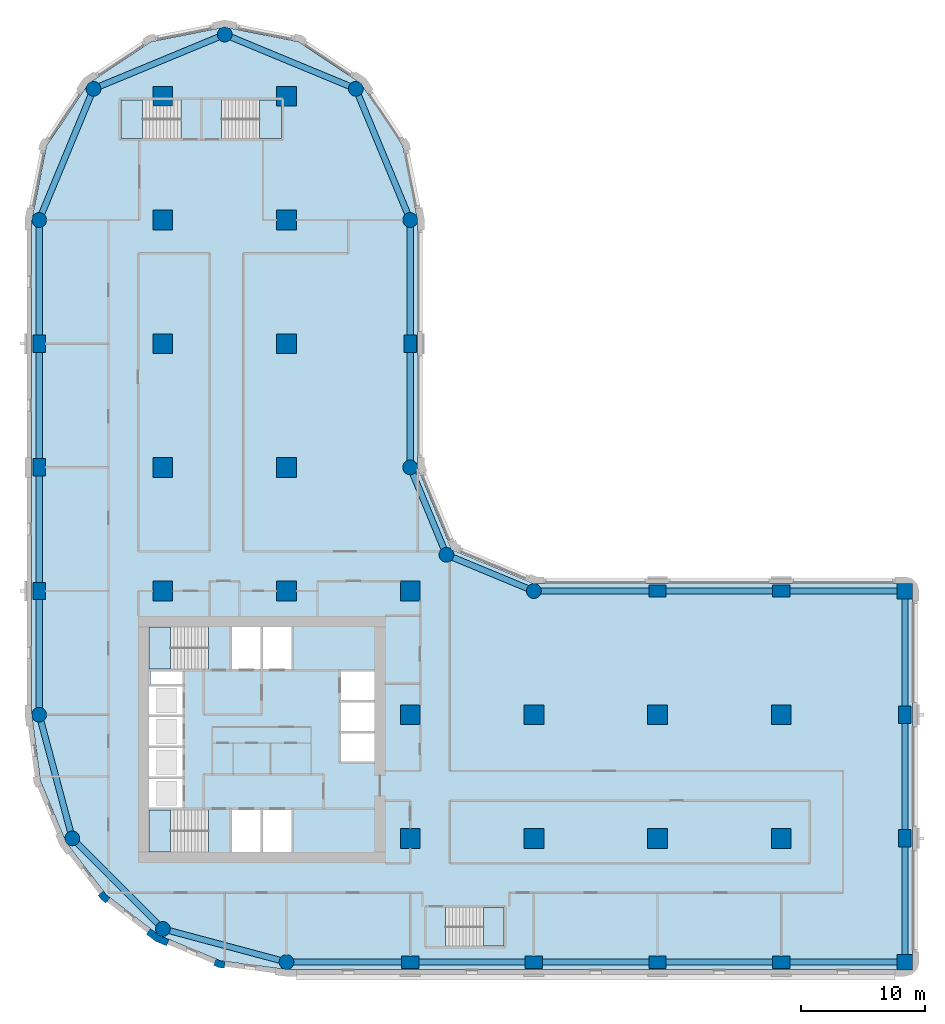
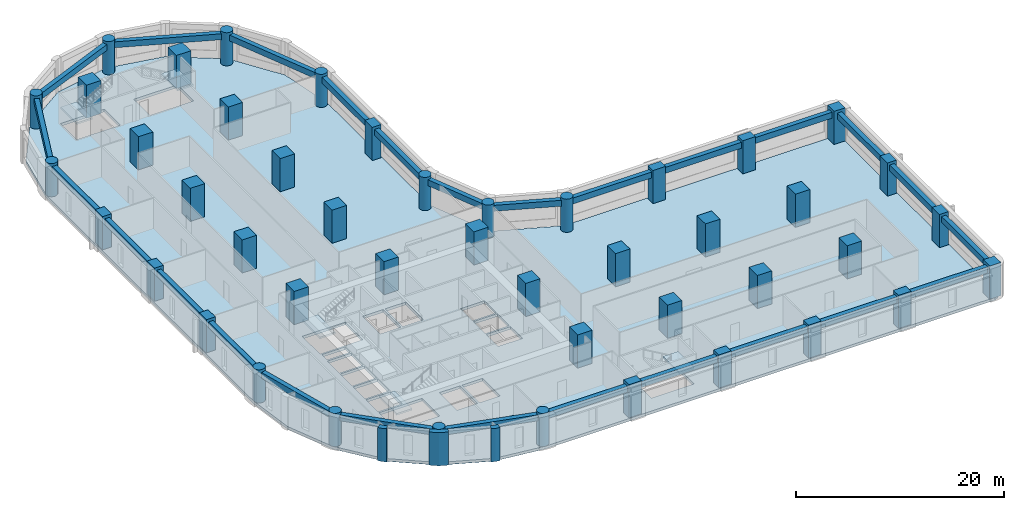
# One storey, part 1 of 10: 45 columns, 26 beams, 6 slabs, 3 walls, 5 elements without a shape of their own.
"""IFC4 building model written with IfcOpenShell, lengths in metres."""

from ifc_helpers import new_model, si_unit, direction, frame, origin, origin_2d, place, context, subcontext, project, spatial, polyline, rectangle, circle, outline, extrude, material, layer, layer_set, material_profile, profile_set, type_object, element, aggregate, save


model = new_model("IFC4")

# Units and contexts
model_context = context("Model", 3, precision=1e-05, world=origin(), true_north=direction((0.0, 1.0)))
body_context = subcontext(model_context, "Body", "Model", "MODEL_VIEW")
ifc_project = project(units=[si_unit("LENGTHUNIT", "METRE"), si_unit("AREAUNIT", "SQUARE_METRE"), si_unit("VOLUMEUNIT", "CUBIC_METRE"), si_unit("PLANEANGLEUNIT", "RADIAN"), si_unit("MASSUNIT", "GRAM", prefix="KILO")], contexts=[model_context])

# Site, building, storey
site_placement = place(None, origin())
site = spatial("IfcSite", under=ifc_project, at=site_placement, CompositionType="ELEMENT")
building_placement = place(site_placement, origin())
building = spatial("IfcBuilding", under=site, at=building_placement, Name="Qaws Garden Tower", CompositionType="ELEMENT")
storey_placement = place(building_placement, frame((0.0, 0.0, 51.0)))
storey = spatial("IfcBuildingStorey", under=building, at=storey_placement, Name="L12", CompositionType="ELEMENT", Elevation=51.0)

# Columns
ifc_material_1 = material(Name="Concrete C80", Category="concrete")
ifc_material_profile_1 = material_profile(ifc_material_1, rectangle(XDim=1.25, YDim=1.25, at=origin_2d()), Name="RC 1250x1250")
ifc_profile_set_1 = profile_set([ifc_material_profile_1], Name="Concrete C80")
column_type_1 = type_object("IfcColumnType", Name="Column RC 1250x1250 C80", PredefinedType="COLUMN", material=ifc_profile_set_1)
for number, where, z_axis, x_axis, name in (
    (1, (70.0, 0.0, 0.0), (0.0, 0.0, 1.0), (1.0, 0.0, 0.0), "Column L12-006"),
    (2, (70.0, 30.0, 0.0), (0.0, 0.0, 1.0), (1.0, 0.0, 0.0), "Column L12-009"),
):
    element("IfcColumn", number, at=place(storey_placement, frame(where, z_axis=z_axis, x_axis=x_axis)), inside=storey, type_object=column_type_1, Name=name, PredefinedType="COLUMN", context=body_context, shape_type="SweptSolid", body=[
        extrude(rectangle(XDim=1.25, YDim=1.25, at=origin_2d()), origin(), (0.0, 0.0, 1.0), 3.89990234375),
    ])
ifc_material_2 = material(Name="Concrete C80", Category="concrete")
ifc_material_profile_2 = material_profile(ifc_material_2, rectangle(XDim=1.39990234375, YDim=1.0, at=origin_2d()), Name="RC 1400x1000")
ifc_profile_set_2 = profile_set([ifc_material_profile_2], Name="Concrete C80")
column_type_2 = type_object("IfcColumnType", Name="Column RC 1400x1000 C80", PredefinedType="COLUMN", material=ifc_profile_set_2)
for number, where, z_axis, x_axis, name in (
    (3, (30.0, 0.0, 0.0), (0.0, 0.0, 1.0), (1.0, 0.0, 0.0), "Column L12-002"),
    (4, (40.0, 0.0, 0.0), (0.0, 0.0, 1.0), (1.0, 0.0, 0.0), "Column L12-003"),
    (5, (50.0, 0.0, 0.0), (0.0, 0.0, 1.0), (1.0, 0.0, 0.0), "Column L12-004"),
    (6, (60.0, 0.0, 0.0), (0.0, 0.0, 1.0), (1.0, 0.0, 0.0), "Column L12-005"),
    (7, (70.0, 10.0, 0.0), (0.0, 0.0, 1.0), (0.0, 1.0, 0.0), "Column L12-007"),
    (8, (70.0, 20.0, 0.0), (0.0, 0.0, 1.0), (0.0, 1.0, 0.0), "Column L12-008"),
    (9, (60.0, 30.0, 0.0), (0.0, 0.0, 1.0), (1.0, 0.0, 0.0), "Column L12-010"),
    (10, (50.0, 30.0, 0.0), (0.0, 0.0, 1.0), (1.0, 0.0, 0.0), "Column L12-011"),
    (11, (30.0, 50.0, 0.0), (0.0, 0.0, 1.0), (0.0, 1.0, 0.0), "Column L12-015"),
    (12, (0.0, 50.0, 0.0), (0.0, 0.0, 1.0), (0.0, 1.0, 0.0), "Column L12-021"),
    (13, (0.0, 40.0, 0.0), (0.0, 0.0, 1.0), (0.0, 1.0, 0.0), "Column L12-022"),
    (14, (0.0, 30.0, 0.0), (0.0, 0.0, 1.0), (0.0, 1.0, 0.0), "Column L12-023"),
):
    element("IfcColumn", number, at=place(storey_placement, frame(where, z_axis=z_axis, x_axis=x_axis)), inside=storey, type_object=column_type_2, Name=name, PredefinedType="COLUMN", context=body_context, shape_type="SweptSolid", body=[
        extrude(rectangle(XDim=1.39990234375, YDim=1.0, at=origin_2d()), origin(), (0.0, 0.0, 1.0), 3.89990234375),
    ])
ifc_material_3 = material(Name="Concrete C80", Category="concrete")
ifc_material_profile_3 = material_profile(ifc_material_3, rectangle(XDim=1.60009765625, YDim=1.60009765625, at=origin_2d()), Name="RC 1600x1600")
ifc_profile_set_3 = profile_set([ifc_material_profile_3], Name="Concrete C80")
column_type_3 = type_object("IfcColumnType", Name="Column RC 1600x1600 C80", PredefinedType="COLUMN", material=ifc_profile_set_3)
for number, where, z_axis, x_axis, name in (
    (15, (10.0, 30.0, 0.0), (0.0, 0.0, 1.0), (1.0, 0.0, 0.0), "Column L12-027"),
    (16, (10.0, 40.0, 0.0), (0.0, 0.0, 1.0), (1.0, 0.0, 0.0), "Column L12-028"),
    (17, (10.0, 50.0, 0.0), (0.0, 0.0, 1.0), (1.0, 0.0, 0.0), "Column L12-029"),
    (18, (10.0, 60.0, 0.0), (0.0, 0.0, 1.0), (1.0, 0.0, 0.0), "Column L12-030"),
    (19, (10.0, 70.0, 0.0), (0.0, 0.0, 1.0), (1.0, 0.0, 0.0), "Column L12-031"),
    (20, (20.0, 30.0, 0.0), (0.0, 0.0, 1.0), (1.0, 0.0, 0.0), "Column L12-032"),
    (21, (20.0, 40.0, 0.0), (0.0, 0.0, 1.0), (1.0, 0.0, 0.0), "Column L12-033"),
    (22, (20.0, 50.0, 0.0), (0.0, 0.0, 1.0), (1.0, 0.0, 0.0), "Column L12-034"),
    (23, (20.0, 60.0, 0.0), (0.0, 0.0, 1.0), (1.0, 0.0, 0.0), "Column L12-035"),
    (24, (20.0, 70.0, 0.0), (0.0, 0.0, 1.0), (1.0, 0.0, 0.0), "Column L12-036"),
    (25, (30.0, 10.0, 0.0), (0.0, 0.0, 1.0), (1.0, 0.0, 0.0), "Column L12-037"),
    (26, (30.0, 20.0, 0.0), (0.0, 0.0, 1.0), (1.0, 0.0, 0.0), "Column L12-038"),
    (27, (30.0, 30.0, 0.0), (0.0, 0.0, 1.0), (1.0, 0.0, 0.0), "Column L12-039"),
    (28, (40.0, 10.0, 0.0), (0.0, 0.0, 1.0), (1.0, 0.0, 0.0), "Column L12-040"),
    (29, (40.0, 20.0, 0.0), (0.0, 0.0, 1.0), (1.0, 0.0, 0.0), "Column L12-041"),
    (30, (50.0, 10.0, 0.0), (0.0, 0.0, 1.0), (1.0, 0.0, 0.0), "Column L12-042"),
    (31, (50.0, 20.0, 0.0), (0.0, 0.0, 1.0), (1.0, 0.0, 0.0), "Column L12-043"),
    (32, (60.0, 10.0, 0.0), (0.0, 0.0, 1.0), (1.0, 0.0, 0.0), "Column L12-044"),
    (33, (60.0, 20.0, 0.0), (0.0, 0.0, 1.0), (1.0, 0.0, 0.0), "Column L12-045"),
):
    element("IfcColumn", number, at=place(storey_placement, frame(where, z_axis=z_axis, x_axis=x_axis)), inside=storey, type_object=column_type_3, Name=name, PredefinedType="COLUMN", context=body_context, shape_type="SweptSolid", body=[
        extrude(rectangle(XDim=1.60009765625, YDim=1.60009765625, at=origin_2d()), origin(), (0.0, 0.0, 1.0), 3.89990234375),
    ])
ifc_material_4 = material(Name="Concrete C80", Category="concrete")
ifc_material_profile_4 = material_profile(ifc_material_4, circle(Radius=0.60009765625, at=origin_2d()), Name="RC D1200")
ifc_profile_set_4 = profile_set([ifc_material_profile_4], Name="Concrete C80")
column_type_4 = type_object("IfcColumnType", Name="Column RC D1200 C80", PredefinedType="COLUMN", material=ifc_profile_set_4)
for number, where, z_axis, x_axis, name in (
    (34, (20.0, 0.0, 0.0), (0.0, 0.0, 1.0), (1.0, 0.0, 0.0), "Column L12-001"),
    (35, (40.0, 30.0, 0.0), (0.0, 0.0, 1.0), (1.0, 0.0, 0.0), "Column L12-012"),
    (36, (32.928955078125, 32.928955078125, 0.0), (0.0, 0.0, 1.0), (1.0, 0.0, 0.0), "Column L12-013"),
    (37, (30.0, 40.0, 0.0), (0.0, 0.0, 1.0), (1.0, 0.0, 0.0), "Column L12-014"),
    (38, (30.0, 60.0, 0.0), (0.0, 0.0, 1.0), (1.0, 0.0, 0.0), "Column L12-016"),
    (39, (25.606689453125, 70.606689453125, 0.0), (0.0, 0.0, 1.0), (1.0, 0.0, 0.0), "Column L12-017"),
    (40, (15.0, 75.0, 0.0), (0.0, 0.0, 1.0), (1.0, 0.0, 0.0), "Column L12-018"),
    (41, (4.393310546875, 70.606689453125, 0.0), (0.0, 0.0, 1.0), (1.0, 0.0, 0.0), "Column L12-019"),
    (42, (0.0, 60.0, 0.0), (0.0, 0.0, 1.0), (1.0, 0.0, 0.0), "Column L12-020"),
    (43, (0.0, 20.0, 0.0), (0.0, 0.0, 1.0), (1.0, 0.0, 0.0), "Column L12-024"),
    (44, (2.679443359375, 10.0, 0.0), (0.0, 0.0, 1.0), (1.0, 0.0, 0.0), "Column L12-025"),
    (45, (10.0, 2.679443359375, 0.0), (0.0, 0.0, 1.0), (1.0, 0.0, 0.0), "Column L12-026"),
):
    element("IfcColumn", number, at=place(storey_placement, frame(where, z_axis=z_axis, x_axis=x_axis)), inside=storey, type_object=column_type_4, Name=name, PredefinedType="COLUMN", context=body_context, shape_type="SweptSolid", body=[
        extrude(circle(Radius=0.60009765625, at=origin_2d()), origin(), (0.0, 0.0, 1.0), 3.89990234375),
    ])

# Beams
ifc_material_5 = material(Name="Concrete C45", Category="concrete")
ifc_material_profile_5 = material_profile(ifc_material_5, rectangle(XDim=0.5, YDim=0.699951171875, at=origin_2d()), Name="RC 500x700")
ifc_profile_set_5 = profile_set([ifc_material_profile_5], Name="Concrete C45")
beam_type = type_object("IfcBeamType", Name="Spandrel beam RC 500x700 C45", PredefinedType="SPANDREL", material=ifc_profile_set_5)
for number, where, z_axis, x_axis, name in (
    (46, (20.0, 0.0, 3.22998046875), (1.0, 0.0, 0.0), (0.0, 1.0, 0.0), "Spandrel beam L12-001"),
    (47, (30.0, 0.0, 3.22998046875), (1.0, 0.0, 0.0), (0.0, 1.0, 0.0), "Spandrel beam L12-002"),
    (48, (40.0, 0.0, 3.22998046875), (1.0, 0.0, 0.0), (0.0, 1.0, 0.0), "Spandrel beam L12-003"),
    (49, (50.0, 0.0, 3.22998046875), (1.0, 0.0, 0.0), (0.0, 1.0, 0.0), "Spandrel beam L12-004"),
    (50, (60.0, 0.0, 3.22998046875), (1.0, 0.0, 0.0), (0.0, 1.0, 0.0), "Spandrel beam L12-005"),
    (51, (70.0, 0.0, 3.22998046875), (0.0, 1.0, 0.0), (-1.0, 0.0, 0.0), "Spandrel beam L12-006"),
    (52, (70.0, 10.0, 3.22998046875), (0.0, 1.0, 0.0), (-1.0, 0.0, 0.0), "Spandrel beam L12-007"),
    (53, (70.0, 20.0, 3.22998046875), (0.0, 1.0, 0.0), (-1.0, 0.0, 0.0), "Spandrel beam L12-008"),
    (54, (70.0, 30.0, 3.22998046875), (-1.0, 0.0, 0.0), (0.0, -1.0, 0.0), "Spandrel beam L12-009"),
    (55, (60.0, 30.0, 3.22998046875), (-1.0, 0.0, 0.0), (0.0, -1.0, 0.0), "Spandrel beam L12-010"),
    (56, (50.0, 30.0, 3.22998046875), (-1.0, 0.0, 0.0), (0.0, -1.0, 0.0), "Spandrel beam L12-011"),
):
    element("IfcBeam", number, at=place(storey_placement, frame(where, z_axis=z_axis, x_axis=x_axis)), inside=storey, type_object=beam_type, Name=name, PredefinedType="SPANDREL", context=body_context, shape_type="SweptSolid", body=[
        extrude(rectangle(XDim=0.5, YDim=0.699951171875, at=origin_2d()), origin(), (0.0, 0.0, 1.0), 10.0),
    ])
for number, where, z_axis, x_axis, name in (
    (57, (40.0, 30.0, 3.22998046875), (-0.923878037141, 0.382687042488, 0.0), (-0.382687042488, -0.923878037141, 0.0), "Spandrel beam L12-012"),
    (58, (32.928955078125, 32.928955078125, 3.22998046875), (-0.382687042488, 0.923878037141, 0.0), (-0.923878037141, -0.382687042488, 0.0), "Spandrel beam L12-013"),
):
    element("IfcBeam", number, at=place(storey_placement, frame(where, z_axis=z_axis, x_axis=x_axis)), inside=storey, type_object=beam_type, Name=name, PredefinedType="SPANDREL", context=body_context, shape_type="SweptSolid", body=[
        extrude(rectangle(XDim=0.5, YDim=0.699951171875, at=origin_2d()), origin(), (0.0, 0.0, 1.0), 7.653564453125),
    ])
for number, where, z_axis, x_axis, name in (
    (59, (30.0, 40.0, 3.22998046875), (0.0, 1.0, 0.0), (-1.0, 0.0, 0.0), "Spandrel beam L12-014"),
    (60, (30.0, 50.0, 3.22998046875), (0.0, 1.0, 0.0), (-1.0, 0.0, 0.0), "Spandrel beam L12-015"),
):
    element("IfcBeam", number, at=place(storey_placement, frame(where, z_axis=z_axis, x_axis=x_axis)), inside=storey, type_object=beam_type, Name=name, PredefinedType="SPANDREL", context=body_context, shape_type="SweptSolid", body=[
        extrude(rectangle(XDim=0.5, YDim=0.699951171875, at=origin_2d()), origin(), (0.0, 0.0, 1.0), 10.0),
    ])
for number, where, z_axis, x_axis, name in (
    (61, (30.0, 60.0, 3.22998046875), (-0.382674207535, 0.923883353507, 0.0), (-0.923883353507, -0.382674207535, 0.0), "Spandrel beam L12-016"),
    (62, (25.606689453125, 70.606689453125, 3.22998046875), (-0.923883353507, 0.382674207535, 0.0), (-0.382674207535, -0.923883353507, 0.0), "Spandrel beam L12-017"),
    (63, (15.0, 75.0, 3.22998046875), (-0.923883353507, -0.382674207535, 0.0), (0.382674207535, -0.923883353507, 0.0), "Spandrel beam L12-018"),
    (64, (4.393310546875, 70.606689453125, 3.22998046875), (-0.382674207535, -0.923883353507, 0.0), (0.923883353507, -0.382674207535, 0.0), "Spandrel beam L12-019"),
):
    element("IfcBeam", number, at=place(storey_placement, frame(where, z_axis=z_axis, x_axis=x_axis)), inside=storey, type_object=beam_type, Name=name, PredefinedType="SPANDREL", context=body_context, shape_type="SweptSolid", body=[
        extrude(rectangle(XDim=0.5, YDim=0.699951171875, at=origin_2d()), origin(), (0.0, 0.0, 1.0), 11.48046875),
    ])
for number, where, z_axis, x_axis, name in (
    (65, (0.0, 60.0, 3.22998046875), (0.0, -1.0, 0.0), (1.0, 0.0, 0.0), "Spandrel beam L12-020"),
    (66, (0.0, 50.0, 3.22998046875), (0.0, -1.0, 0.0), (1.0, 0.0, 0.0), "Spandrel beam L12-021"),
    (67, (0.0, 40.0, 3.22998046875), (0.0, -1.0, 0.0), (1.0, 0.0, 0.0), "Spandrel beam L12-022"),
    (68, (0.0, 30.0, 3.22998046875), (0.0, -1.0, 0.0), (1.0, 0.0, 0.0), "Spandrel beam L12-023"),
):
    element("IfcBeam", number, at=place(storey_placement, frame(where, z_axis=z_axis, x_axis=x_axis)), inside=storey, type_object=beam_type, Name=name, PredefinedType="SPANDREL", context=body_context, shape_type="SweptSolid", body=[
        extrude(rectangle(XDim=0.5, YDim=0.699951171875, at=origin_2d()), origin(), (0.0, 0.0, 1.0), 10.0),
    ])
for number, where, z_axis, x_axis, name in (
    (69, (0.0, 20.0, 3.22998046875), (0.25881466832, -0.965926999034, 0.0), (0.965926999034, 0.25881466832, 0.0), "Spandrel beam L12-024"),
    (70, (2.679443359375, 10.0, 3.22998046875), (0.707106781187, -0.707106781187, 0.0), (0.707106781187, 0.707106781187, 0.0), "Spandrel beam L12-025"),
    (71, (10.0, 2.679443359375, 3.22998046875), (0.965926999034, -0.25881466832, 0.0), (0.25881466832, 0.965926999034, 0.0), "Spandrel beam L12-026"),
):
    element("IfcBeam", number, at=place(storey_placement, frame(where, z_axis=z_axis, x_axis=x_axis)), inside=storey, type_object=beam_type, Name=name, PredefinedType="SPANDREL", context=body_context, shape_type="SweptSolid", body=[
        extrude(rectangle(XDim=0.5, YDim=0.699951171875, at=origin_2d()), origin(), (0.0, 0.0, 1.0), 10.352783203125),
    ])

# Slab
ifc_material_6 = material(Name="Concrete C40", Category="concrete")
ifc_layer_1 = layer(ifc_material_6, 0.320068359375)
ifc_layer_set_1 = layer_set([ifc_layer_1], Name="Concrete C40")
slab_type_1 = type_object("IfcSlabType", Name="Floor slab 320 C40", PredefinedType="FLOOR", material=ifc_layer_set_1)
slab_1_placement = place(storey_placement, frame((0.0, 0.0, -0.320068359375)))
element("IfcSlab", 72, at=slab_1_placement, inside=storey, type_object=slab_type_1, Name="Floor slab L12", PredefinedType="FLOOR", context=body_context, shape_type="SweptSolid", body=[
    extrude(outline(polyline([(0.101806640625, 14.668212890625), (-0.60009765625, 20.0), (-0.60009765625, 30.60009765625), (-0.60009765625, 60.0), (-0.60009765625, 60.0), (0.58740234375, 65.969970703125), (3.968994140625, 71.031005859375), (9.030029296875, 74.41259765625), (15.0, 75.60009765625), (20.969970703125, 74.41259765625), (26.031005859375, 71.031005859375), (29.41259765625, 65.969970703125), (30.60009765625, 60.0), (30.60009765625, 40.0), (33.353271484375, 33.353271484375), (40.0, 30.60009765625), (70.0, 30.60009765625), (70.42431640625, 30.42431640625), (70.60009765625, 30.0), (70.60009765625, 0.0), (70.42431640625, -0.42431640625), (70.0, -0.60009765625), (30.60009765625, -0.60009765625), (20.0, -0.60009765625), (14.668212890625, 0.101806640625), (9.699951171875, 2.159912109375), (5.43359375, 5.43359375), (2.159912109375, 9.699951171875), (0.101806640625, 14.668212890625)]), holes=[polyline([(13.699462890625, 12.300048828125), (8.89990234375, 12.300048828125), (8.89990234375, 8.89990234375), (13.699462890625, 8.89990234375), (13.699462890625, 12.300048828125)]), polyline([(17.89990234375, 12.300048828125), (15.60009765625, 12.300048828125), (15.60009765625, 8.89990234375), (17.89990234375, 8.89990234375), (17.89990234375, 12.300048828125)]), polyline([(11.60009765625, 14.800048828125), (8.89990234375, 14.800048828125), (8.89990234375, 12.5), (11.60009765625, 12.5), (11.60009765625, 14.800048828125)]), polyline([(11.60009765625, 17.300048828125), (8.89990234375, 17.300048828125), (8.89990234375, 15.0), (11.60009765625, 15.0), (11.60009765625, 17.300048828125)]), polyline([(11.60009765625, 19.800048828125), (8.89990234375, 19.800048828125), (8.89990234375, 17.5), (11.60009765625, 17.5), (11.60009765625, 19.800048828125)]), polyline([(11.60009765625, 22.300048828125), (8.89990234375, 22.300048828125), (8.89990234375, 20.0), (11.60009765625, 20.0), (11.60009765625, 22.300048828125)]), polyline([(11.60009765625, 23.5), (9.0, 23.5), (9.0, 22.5), (11.60009765625, 22.5), (11.60009765625, 23.5)]), polyline([(13.699462890625, 27.10009765625), (8.89990234375, 27.10009765625), (8.89990234375, 23.699951171875), (13.699462890625, 23.699951171875), (13.699462890625, 27.10009765625)]), polyline([(11.449462890625, 69.699951171875), (6.60009765625, 69.699951171875), (6.60009765625, 66.60009765625), (11.449462890625, 66.60009765625), (11.449462890625, 69.699951171875)]), polyline([(37.60009765625, 4.39990234375), (32.8505859375, 4.39990234375), (32.8505859375, 1.300048828125), (37.60009765625, 1.300048828125), (37.60009765625, 4.39990234375)]), polyline([(20.39990234375, 12.300048828125), (18.10009765625, 12.300048828125), (18.10009765625, 8.89990234375), (20.39990234375, 8.89990234375), (20.39990234375, 12.300048828125)]), polyline([(27.10009765625, 18.5), (24.39990234375, 18.5), (24.39990234375, 16.199951171875), (27.10009765625, 16.199951171875), (27.10009765625, 18.5)]), polyline([(27.10009765625, 21.0), (24.39990234375, 21.0), (24.39990234375, 18.699951171875), (27.10009765625, 18.699951171875), (27.10009765625, 21.0)]), polyline([(27.10009765625, 23.5), (24.39990234375, 23.5), (24.39990234375, 21.199951171875), (27.10009765625, 21.199951171875), (27.10009765625, 23.5)]), polyline([(17.89990234375, 27.10009765625), (15.60009765625, 27.10009765625), (15.60009765625, 23.699951171875), (17.89990234375, 23.699951171875), (17.89990234375, 27.10009765625)]), polyline([(20.39990234375, 23.699951171875), (20.39990234375, 27.10009765625), (18.10009765625, 27.10009765625), (18.10009765625, 23.699951171875), (20.39990234375, 23.699951171875)]), polyline([(19.60009765625, 66.60009765625), (19.60009765625, 69.699951171875), (14.75048828125, 69.699951171875), (14.75048828125, 66.60009765625), (19.60009765625, 66.60009765625)])]), origin(), (0.0, 0.0, 1.0), 0.320068359375),
])

# Stair, slab
ifc_material_7 = material(Name="Concrete C40", Category="concrete")
stair_type_1 = type_object("IfcStairType", Name="Exit stair 1500", PredefinedType="HALF_TURN_STAIR", material=ifc_material_7)
placement_1 = place(storey_placement, origin())
stair_1 = element("IfcStair", 73, at=placement_1, inside=storey, type_object=stair_type_1, Name="Stair 1", PredefinedType="HALF_TURN_STAIR")
ifc_material_8 = material(Name="Concrete C40", Category="concrete")
ifc_layer_2 = layer(ifc_material_8, 0.199951171875)
ifc_layer_set_2 = layer_set([ifc_layer_2], Name="Concrete C40")
slab_type_2 = type_object("IfcSlabType", Name="Stair landing 200", PredefinedType="LANDING", material=ifc_layer_set_2)
placement_2 = place(storey_placement, frame((0.0, 0.0, 1.75)))
slab_2 = element("IfcSlab", 74, at=placement_2, type_object=slab_type_2, Name="ST1 landing 1", PredefinedType="LANDING", context=body_context, shape_type="SweptSolid", body=[
    extrude(outline(polyline([(8.89990234375, 8.89990234375), (10.6201171875, 8.89990234375), (10.6201171875, 12.300048828125), (8.89990234375, 12.300048828125), (8.89990234375, 8.89990234375)])), origin(), (0.0, 0.0, 1.0), 0.199951171875),
])
aggregate(stair_1, [slab_2])

stair_2 = element("IfcStair", 75, at=placement_1, inside=storey, type_object=stair_type_1, Name="Stair 4", PredefinedType="HALF_TURN_STAIR")
slab_3 = element("IfcSlab", 76, at=placement_2, type_object=slab_type_2, Name="ST4 landing 1", PredefinedType="LANDING", context=body_context, shape_type="SweptSolid", body=[
    extrude(outline(polyline([(8.89990234375, 23.699951171875), (10.6201171875, 23.699951171875), (10.6201171875, 27.10009765625), (8.89990234375, 27.10009765625), (8.89990234375, 23.699951171875)])), origin(), (0.0, 0.0, 1.0), 0.199951171875),
])
aggregate(stair_2, [slab_3])

ifc_material_9 = material(Name="Concrete C40", Category="concrete")
stair_type_2 = type_object("IfcStairType", Name="Exit stair 1350", PredefinedType="HALF_TURN_STAIR", material=ifc_material_9)
stair_3 = element("IfcStair", 77, at=placement_1, inside=storey, type_object=stair_type_2, Name="Stair 5", PredefinedType="HALF_TURN_STAIR")
slab_4 = element("IfcSlab", 78, at=placement_2, type_object=slab_type_2, Name="ST5 landing 1", PredefinedType="LANDING", context=body_context, shape_type="SweptSolid", body=[
    extrude(outline(polyline([(35.929931640625, 1.300048828125), (37.60009765625, 1.300048828125), (37.60009765625, 4.39990234375), (35.929931640625, 4.39990234375), (35.929931640625, 1.300048828125)])), origin(), (0.0, 0.0, 1.0), 0.199951171875),
])
aggregate(stair_3, [slab_4])

stair_4 = element("IfcStair", 79, at=placement_1, inside=storey, type_object=stair_type_2, Name="Stair 6", PredefinedType="HALF_TURN_STAIR")
slab_5 = element("IfcSlab", 80, at=placement_2, type_object=slab_type_2, Name="ST6 landing 1", PredefinedType="LANDING", context=body_context, shape_type="SweptSolid", body=[
    extrude(outline(polyline([(6.60009765625, 66.60009765625), (8.3701171875, 66.60009765625), (8.3701171875, 69.699951171875), (6.60009765625, 69.699951171875), (6.60009765625, 66.60009765625)])), origin(), (0.0, 0.0, 1.0), 0.199951171875),
])
aggregate(stair_4, [slab_5])

stair_5 = element("IfcStair", 81, at=placement_1, inside=storey, type_object=stair_type_2, Name="Stair 7", PredefinedType="HALF_TURN_STAIR")
slab_6 = element("IfcSlab", 82, at=placement_2, type_object=slab_type_2, Name="ST7 landing 1", PredefinedType="LANDING", context=body_context, shape_type="SweptSolid", body=[
    extrude(outline(polyline([(17.830078125, 66.60009765625), (19.60009765625, 66.60009765625), (19.60009765625, 69.699951171875), (17.830078125, 69.699951171875), (17.830078125, 66.60009765625)])), origin(), (0.0, 0.0, 1.0), 0.199951171875),
])
aggregate(stair_5, [slab_6])

# Walls
ifc_material_10 = material(Name="Clay facing brick masonry", Category="masonry")
ifc_layer_3 = layer(ifc_material_10, 0.550048828125)
ifc_layer_set_3 = layer_set([ifc_layer_3], Name="Clay facing brick masonry")
wall_type_1 = type_object("IfcWallType", Name="Brick kink pier 550 x 600", PredefinedType="SOLIDWALL", material=ifc_layer_set_3)
element("IfcWall", 83, at=placement_1, inside=storey, type_object=wall_type_1, Name="E-L12-pier-30", PredefinedType="SOLIDWALL", context=body_context, shape_type="SweptSolid", body=[
    extrude(outline(polyline([(4.8818359375, 5.487060546875), (4.762939453125, 5.395751953125), (5.03759765625, 5.03759765625), (5.395751953125, 4.762939453125), (5.487060546875, 4.8818359375), (5.730712890625, 5.19921875), (5.429931640625, 5.429931640625), (5.19921875, 5.730712890625), (4.8818359375, 5.487060546875)])), origin(), (0.0, 0.0, 1.0), 3.89990234375),
])
element("IfcWall", 84, at=placement_1, inside=storey, type_object=wall_type_1, Name="E-L12-pier-32", PredefinedType="SOLIDWALL", context=body_context, shape_type="SweptSolid", body=[
    extrude(outline(polyline([(14.163818359375, -0.127685546875), (14.1064453125, -0.26611328125), (14.5234375, -0.43896484375), (14.970947265625, -0.497802734375), (14.990478515625, -0.34912109375), (15.042724609375, 0.04736328125), (14.6669921875, 0.096923828125), (14.31689453125, 0.241943359375), (14.163818359375, -0.127685546875)])), origin(), (0.0, 0.0, 1.0), 3.89990234375),
])
ifc_material_11 = material(Name="Clay facing brick masonry", Category="masonry")
ifc_layer_4 = layer(ifc_material_11, 0.550048828125)
ifc_layer_set_4 = layer_set([ifc_layer_4], Name="Clay facing brick masonry")
wall_type_2 = type_object("IfcWallType", Name="Brick pier 550 x 1600", PredefinedType="SOLIDWALL", material=ifc_layer_set_4)
element("IfcWall", 85, at=placement_1, inside=storey, type_object=wall_type_2, Name="E-L12-pier-31", PredefinedType="SOLIDWALL", context=body_context, shape_type="SweptSolid", body=[
    extrude(outline(polyline([(8.756591796875, 2.373046875), (8.665283203125, 2.254150390625), (9.419921875, 1.675048828125), (10.299072265625, 1.310791015625), (10.3564453125, 1.449462890625), (10.509521484375, 1.819091796875), (9.697509765625, 2.1552734375), (9.0, 2.6904296875), (8.756591796875, 2.373046875)])), origin(), (0.0, 0.0, 1.0), 3.89990234375),
])

save(model, "model.ifc")
